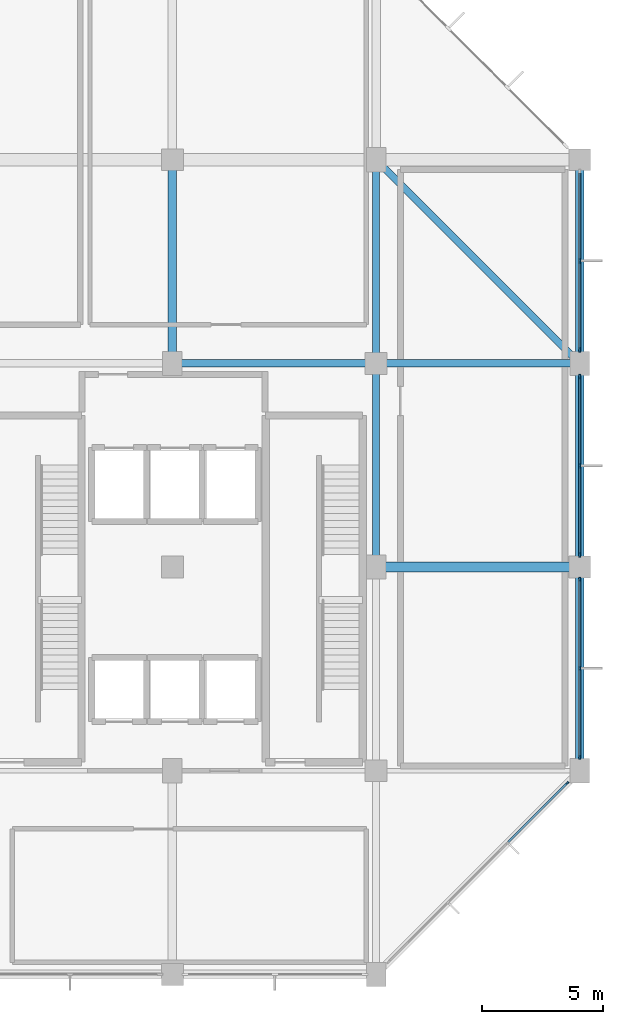
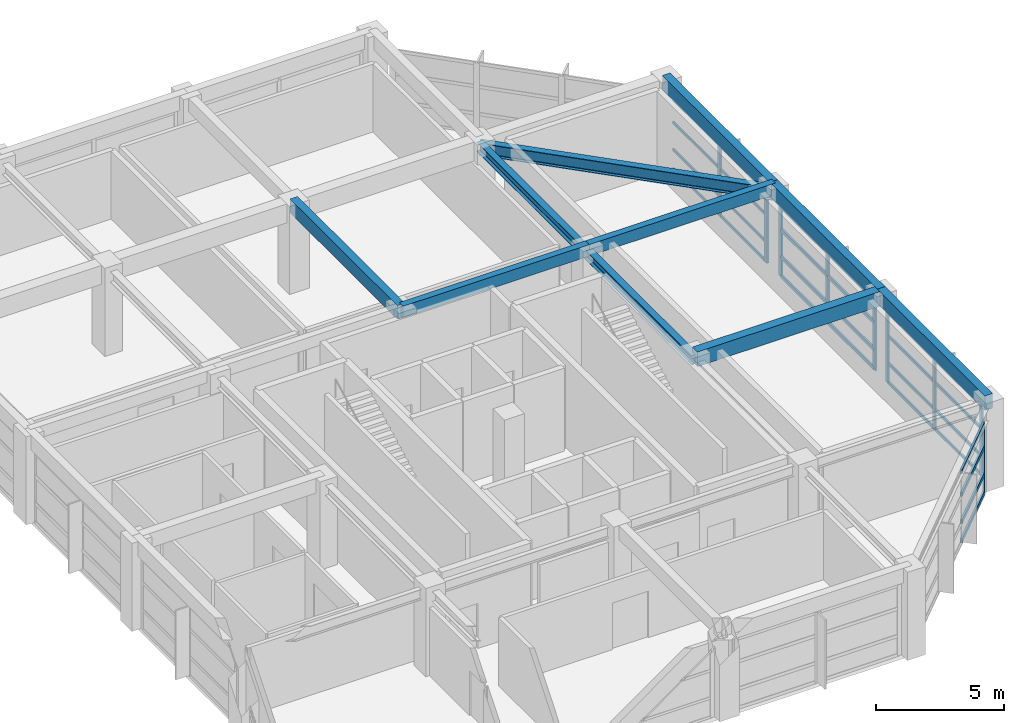
# One storey, part 5 of 12: 37 members, 10 beams, 4 elements without a shape of their own.
"""IFC4 building model written with IfcOpenShell, lengths in metres."""

from ifc_helpers import new_model, si_unit, direction, frame, origin, origin_2d, place, context, subcontext, project, spatial, rectangle, i_section, extrude, material, material_profile, profile_set, type_object, element, aggregate, save


model = new_model("IFC4")

# Units and contexts
model_context = context("Model", 3, precision=1e-05, world=origin(), true_north=direction((0.0, 1.0)))
body_context = subcontext(model_context, "Body", "Model", "MODEL_VIEW")
ifc_project = project(units=[si_unit("LENGTHUNIT", "METRE"), si_unit("AREAUNIT", "SQUARE_METRE"), si_unit("VOLUMEUNIT", "CUBIC_METRE"), si_unit("PLANEANGLEUNIT", "RADIAN"), si_unit("MASSUNIT", "GRAM", prefix="KILO")], contexts=[model_context])

# Site, building, storey
site_placement = place(None, origin())
site = spatial("IfcSite", under=ifc_project, at=site_placement, CompositionType="ELEMENT")
building_placement = place(site_placement, origin())
building = spatial("IfcBuilding", under=site, at=building_placement, Name="Xuanlan Plaza Opera House", CompositionType="ELEMENT")
storey_placement = place(building_placement, frame((0.0, 0.0, 65.699951171875)))
storey = spatial("IfcBuildingStorey", under=building, at=storey_placement, Name="L15", CompositionType="ELEMENT", Elevation=65.699951171875)

# Curtain wall, member
ifc_material_1 = material(Name="Anodised Aluminium 6063-T6 and Low-E Glass", Category="aluminium")
curtain_wall_type_1 = type_object("IfcCurtainWallType", Name="ENV-CW-CW-01", PredefinedType="USERDEFINED", material=ifc_material_1)
curtain_wall_1_placement = place(storey_placement, origin())
curtain_wall_1 = element("IfcCurtainWall", 1, at=curtain_wall_1_placement, inside=storey, type_object=curtain_wall_type_1, Name="Unitised Curtain Wall L15-004", ObjectType="UNITISED CURTAIN WALL", PredefinedType="USERDEFINED")
ifc_material_2 = material(Name="Anodised Aluminium 6063-T6", Category="aluminium")
ifc_material_profile_1 = material_profile(ifc_material_2, rectangle(XDim=0.06494140625, YDim=0.159912109375, at=origin_2d()), Name="ALU-M 65x160")
ifc_profile_set_1 = profile_set([ifc_material_profile_1], Name="Anodised Aluminium 6063-T6")
member_type_1 = type_object("IfcMemberType", Name="ENV-CWM-01", PredefinedType="MULLION", material=ifc_profile_set_1)
member_1_placement = place(storey_placement, frame((159.078125, 49.8779296875, 0.0), z_axis=(0.0, 0.0, 1.0), x_axis=(-0.707106781187, 0.707106781187, 0.0)))
member_1 = element("IfcMember", 2, at=member_1_placement, type_object=member_type_1, Name="CW-01 mullion 4", PredefinedType="MULLION", context=body_context, shape_type="SweptSolid", body=[
    extrude(rectangle(XDim=0.06494140625, YDim=0.159912109375, at=origin_2d()), origin(), (0.0, 0.0, 1.0), 3.380126953125),
])

# Curtain wall, members
curtain_wall_type_2 = type_object("IfcCurtainWallType", Name="ENV-CW-CW-02", PredefinedType="USERDEFINED", material=ifc_material_1)
curtain_wall_2_placement = place(storey_placement, origin())
curtain_wall_2 = element("IfcCurtainWall", 3, at=curtain_wall_2_placement, inside=storey, type_object=curtain_wall_type_2, Name="Unitised Curtain Wall L15-005", ObjectType="UNITISED CURTAIN WALL", PredefinedType="USERDEFINED")
ifc_material_profile_2 = material_profile(ifc_material_2, rectangle(XDim=0.070068359375, YDim=0.179931640625, at=origin_2d()), Name="ALU-M 70x180")
ifc_profile_set_2 = profile_set([ifc_material_profile_2], Name="Anodised Aluminium 6063-T6")
member_type_2 = type_object("IfcMemberType", Name="ENV-CWM-02", PredefinedType="MULLION", material=ifc_profile_set_2)
member_2_placement = place(storey_placement, frame((159.60009765625, 50.955078125, 0.0), z_axis=(0.0, 0.0, 1.0), x_axis=(-1.0, 0.0, 0.0)))
member_2 = element("IfcMember", 4, at=member_2_placement, type_object=member_type_2, Name="CW-02 mullion 1", PredefinedType="MULLION", context=body_context, shape_type="SweptSolid", body=[
    extrude(rectangle(XDim=0.070068359375, YDim=0.179931640625, at=origin_2d()), origin(), (0.0, 0.0, 1.0), 3.380126953125),
])
member_3_placement = place(storey_placement, frame((159.60009765625, 54.625, 0.0), z_axis=(0.0, 0.0, 1.0), x_axis=(-1.0, 0.0, 0.0)))
member_3 = element("IfcMember", 5, at=member_3_placement, type_object=member_type_2, Name="CW-02 mullion 2", PredefinedType="MULLION", context=body_context, shape_type="SweptSolid", body=[
    extrude(rectangle(XDim=0.070068359375, YDim=0.179931640625, at=origin_2d()), origin(), (0.0, 0.0, 1.0), 3.380126953125),
])
member_4_placement = place(storey_placement, frame((159.60009765625, 58.294921875, 0.0), z_axis=(0.0, 0.0, 1.0), x_axis=(-1.0, 0.0, 0.0)))
member_4 = element("IfcMember", 6, at=member_4_placement, type_object=member_type_2, Name="CW-02 mullion 3", PredefinedType="MULLION", context=body_context, shape_type="SweptSolid", body=[
    extrude(rectangle(XDim=0.070068359375, YDim=0.179931640625, at=origin_2d()), origin(), (0.0, 0.0, 1.0), 3.380126953125),
])

curtain_wall_type_3 = type_object("IfcCurtainWallType", Name="ENV-CW-CW-03", PredefinedType="USERDEFINED", material=ifc_material_1)
curtain_wall_3_placement = place(storey_placement, origin())
curtain_wall_3 = element("IfcCurtainWall", 7, at=curtain_wall_3_placement, inside=storey, type_object=curtain_wall_type_3, Name="Unitised Curtain Wall L15-006", ObjectType="UNITISED CURTAIN WALL", PredefinedType="USERDEFINED")
ifc_material_profile_3 = material_profile(ifc_material_2, rectangle(XDim=0.074951171875, YDim=0.199951171875, at=origin_2d()), Name="ALU-M 75x200")
ifc_profile_set_3 = profile_set([ifc_material_profile_3], Name="Anodised Aluminium 6063-T6")
member_type_3 = type_object("IfcMemberType", Name="ENV-CWM-03", PredefinedType="MULLION", material=ifc_profile_set_3)
member_5_placement = place(storey_placement, frame((159.60009765625, 59.3076171875, 0.0), z_axis=(0.0, 0.0, 1.0), x_axis=(-1.0, 0.0, 0.0)))
member_5 = element("IfcMember", 8, at=member_5_placement, type_object=member_type_3, Name="CW-03 mullion 1", PredefinedType="MULLION", context=body_context, shape_type="SweptSolid", body=[
    extrude(rectangle(XDim=0.074951171875, YDim=0.199951171875, at=origin_2d()), origin(), (0.0, 0.0, 1.0), 3.380126953125),
])
member_6_placement = place(storey_placement, frame((159.60009765625, 62.97509765625, 0.0), z_axis=(0.0, 0.0, 1.0), x_axis=(-1.0, 0.0, 0.0)))
member_6 = element("IfcMember", 9, at=member_6_placement, type_object=member_type_3, Name="CW-03 mullion 2", PredefinedType="MULLION", context=body_context, shape_type="SweptSolid", body=[
    extrude(rectangle(XDim=0.074951171875, YDim=0.199951171875, at=origin_2d()), origin(), (0.0, 0.0, 1.0), 3.380126953125),
])
member_7_placement = place(storey_placement, frame((159.60009765625, 66.642578125, 0.0), z_axis=(0.0, 0.0, 1.0), x_axis=(-1.0, 0.0, 0.0)))
member_7 = element("IfcMember", 10, at=member_7_placement, type_object=member_type_3, Name="CW-03 mullion 3", PredefinedType="MULLION", context=body_context, shape_type="SweptSolid", body=[
    extrude(rectangle(XDim=0.074951171875, YDim=0.199951171875, at=origin_2d()), origin(), (0.0, 0.0, 1.0), 3.380126953125),
])

curtain_wall_type_4 = type_object("IfcCurtainWallType", Name="ENV-CW-CW-04", PredefinedType="USERDEFINED", material=ifc_material_1)
curtain_wall_4_placement = place(storey_placement, origin())
curtain_wall_4 = element("IfcCurtainWall", 11, at=curtain_wall_4_placement, inside=storey, type_object=curtain_wall_type_4, Name="Unitised Curtain Wall L15-007", ObjectType="UNITISED CURTAIN WALL", PredefinedType="USERDEFINED")
ifc_material_profile_4 = material_profile(ifc_material_2, rectangle(XDim=0.080078125, YDim=0.219970703125, at=origin_2d()), Name="ALU-M 80x220")
ifc_profile_set_4 = profile_set([ifc_material_profile_4], Name="Anodised Aluminium 6063-T6")
member_type_4 = type_object("IfcMemberType", Name="ENV-CWM-04", PredefinedType="MULLION", material=ifc_profile_set_4)
member_8_placement = place(storey_placement, frame((159.60009765625, 67.760009765625, 0.0), z_axis=(0.0, 0.0, 1.0), x_axis=(-1.0, 0.0, 0.0)))
member_8 = element("IfcMember", 12, at=member_8_placement, type_object=member_type_4, Name="CW-04 mullion 1", PredefinedType="MULLION", context=body_context, shape_type="SweptSolid", body=[
    extrude(rectangle(XDim=0.080078125, YDim=0.219970703125, at=origin_2d()), origin(), (0.0, 0.0, 1.0), 3.380126953125),
])
member_9_placement = place(storey_placement, frame((159.60009765625, 71.425048828125, 0.0), z_axis=(0.0, 0.0, 1.0), x_axis=(-1.0, 0.0, 0.0)))
member_9 = element("IfcMember", 13, at=member_9_placement, type_object=member_type_4, Name="CW-04 mullion 2", PredefinedType="MULLION", context=body_context, shape_type="SweptSolid", body=[
    extrude(rectangle(XDim=0.080078125, YDim=0.219970703125, at=origin_2d()), origin(), (0.0, 0.0, 1.0), 3.380126953125),
])
ifc_material_profile_5 = material_profile(ifc_material_2, rectangle(XDim=0.06494140625, YDim=0.1201171875, at=origin_2d()), Name="ALU-T 65x120")
ifc_profile_set_5 = profile_set([ifc_material_profile_5], Name="Anodised Aluminium 6063-T6")
member_type_5 = type_object("IfcMemberType", Name="ENV-CWT-01", PredefinedType="USERDEFINED", material=ifc_profile_set_5)
member_10_placement = place(storey_placement, frame((159.60009765625, 67.800048828125, 0.032470703125), z_axis=(0.0, 1.0, 0.0), x_axis=(-1.0, 0.0, 0.0)))
member_10 = element("IfcMember", 14, at=member_10_placement, type_object=member_type_5, Name="CW-04 transom 1.1", ObjectType="TRANSOM", PredefinedType="USERDEFINED", context=body_context, shape_type="SweptSolid", body=[
    extrude(rectangle(XDim=0.06494140625, YDim=0.1201171875, at=origin_2d()), origin(), (0.0, 0.0, 1.0), 3.5849609375),
])
member_11_placement = place(storey_placement, frame((159.60009765625, 67.800048828125, 0.949951171875), z_axis=(0.0, 1.0, 0.0), x_axis=(-1.0, 0.0, 0.0)))
member_11 = element("IfcMember", 15, at=member_11_placement, type_object=member_type_5, Name="CW-04 transom 1.2", ObjectType="TRANSOM", PredefinedType="USERDEFINED", context=body_context, shape_type="SweptSolid", body=[
    extrude(rectangle(XDim=0.06494140625, YDim=0.1201171875, at=origin_2d()), origin(), (0.0, 0.0, 1.0), 3.5849609375),
])
member_12_placement = place(storey_placement, frame((159.60009765625, 67.800048828125, 2.25), z_axis=(0.0, 1.0, 0.0), x_axis=(-1.0, 0.0, 0.0)))
member_12 = element("IfcMember", 16, at=member_12_placement, type_object=member_type_5, Name="CW-04 transom 1.3", ObjectType="TRANSOM", PredefinedType="USERDEFINED", context=body_context, shape_type="SweptSolid", body=[
    extrude(rectangle(XDim=0.06494140625, YDim=0.1201171875, at=origin_2d()), origin(), (0.0, 0.0, 1.0), 3.5849609375),
])
member_13_placement = place(storey_placement, frame((159.60009765625, 67.800048828125, 3.34765625), z_axis=(0.0, 1.0, 0.0), x_axis=(-1.0, 0.0, 0.0)))
member_13 = element("IfcMember", 17, at=member_13_placement, type_object=member_type_5, Name="CW-04 transom 1.4", ObjectType="TRANSOM", PredefinedType="USERDEFINED", context=body_context, shape_type="SweptSolid", body=[
    extrude(rectangle(XDim=0.06494140625, YDim=0.1201171875, at=origin_2d()), origin(), (0.0, 0.0, 1.0), 3.5849609375),
])
member_14_placement = place(storey_placement, frame((159.60009765625, 71.465087890625, 0.032470703125), z_axis=(0.0, 1.0, 0.0), x_axis=(-1.0, 0.0, 0.0)))
member_14 = element("IfcMember", 18, at=member_14_placement, type_object=member_type_5, Name="CW-04 transom 2.1", ObjectType="TRANSOM", PredefinedType="USERDEFINED", context=body_context, shape_type="SweptSolid", body=[
    extrude(rectangle(XDim=0.06494140625, YDim=0.1201171875, at=origin_2d()), origin(), (0.0, 0.0, 1.0), 3.5849609375),
])
member_15_placement = place(storey_placement, frame((159.60009765625, 71.465087890625, 0.949951171875), z_axis=(0.0, 1.0, 0.0), x_axis=(-1.0, 0.0, 0.0)))
member_15 = element("IfcMember", 19, at=member_15_placement, type_object=member_type_5, Name="CW-04 transom 2.2", ObjectType="TRANSOM", PredefinedType="USERDEFINED", context=body_context, shape_type="SweptSolid", body=[
    extrude(rectangle(XDim=0.06494140625, YDim=0.1201171875, at=origin_2d()), origin(), (0.0, 0.0, 1.0), 3.5849609375),
])
member_16_placement = place(storey_placement, frame((159.60009765625, 71.465087890625, 2.25), z_axis=(0.0, 1.0, 0.0), x_axis=(-1.0, 0.0, 0.0)))
member_16 = element("IfcMember", 20, at=member_16_placement, type_object=member_type_5, Name="CW-04 transom 2.3", ObjectType="TRANSOM", PredefinedType="USERDEFINED", context=body_context, shape_type="SweptSolid", body=[
    extrude(rectangle(XDim=0.06494140625, YDim=0.1201171875, at=origin_2d()), origin(), (0.0, 0.0, 1.0), 3.5849609375),
])
member_17_placement = place(storey_placement, frame((159.60009765625, 71.465087890625, 3.34765625), z_axis=(0.0, 1.0, 0.0), x_axis=(-1.0, 0.0, 0.0)))
member_17 = element("IfcMember", 21, at=member_17_placement, type_object=member_type_5, Name="CW-04 transom 2.4", ObjectType="TRANSOM", PredefinedType="USERDEFINED", context=body_context, shape_type="SweptSolid", body=[
    extrude(rectangle(XDim=0.06494140625, YDim=0.1201171875, at=origin_2d()), origin(), (0.0, 0.0, 1.0), 3.5849609375),
])
aggregate(curtain_wall_4, [member_8, member_9, member_10, member_11, member_12, member_13, member_14, member_15, member_16, member_17])

# Member
ifc_material_profile_6 = material_profile(ifc_material_2, rectangle(XDim=0.070068359375, YDim=0.135009765625, at=origin_2d()), Name="ALU-T 70x135")
ifc_profile_set_6 = profile_set([ifc_material_profile_6], Name="Anodised Aluminium 6063-T6")
member_type_6 = type_object("IfcMemberType", Name="ENV-CWT-02", PredefinedType="USERDEFINED", material=ifc_profile_set_6)
member_18_placement = place(storey_placement, frame((159.60009765625, 50.989990234375, 0.03515625), z_axis=(0.0, 1.0, 0.0), x_axis=(-1.0, 0.0, 0.0)))
member_18 = element("IfcMember", 22, at=member_18_placement, type_object=member_type_6, Name="CW-02 transom 1.1", ObjectType="TRANSOM", PredefinedType="USERDEFINED", context=body_context, shape_type="SweptSolid", body=[
    extrude(rectangle(XDim=0.070068359375, YDim=0.135009765625, at=origin_2d()), origin(), (0.0, 0.0, 1.0), 3.60009765625),
])

member_19_placement = place(storey_placement, frame((159.60009765625, 50.989990234375, 0.949951171875), z_axis=(0.0, 1.0, 0.0), x_axis=(-1.0, 0.0, 0.0)))
member_19 = element("IfcMember", 23, at=member_19_placement, type_object=member_type_6, Name="CW-02 transom 1.2", ObjectType="TRANSOM", PredefinedType="USERDEFINED", context=body_context, shape_type="SweptSolid", body=[
    extrude(rectangle(XDim=0.070068359375, YDim=0.135009765625, at=origin_2d()), origin(), (0.0, 0.0, 1.0), 3.60009765625),
])

member_20_placement = place(storey_placement, frame((159.60009765625, 50.989990234375, 2.25), z_axis=(0.0, 1.0, 0.0), x_axis=(-1.0, 0.0, 0.0)))
member_20 = element("IfcMember", 24, at=member_20_placement, type_object=member_type_6, Name="CW-02 transom 1.3", ObjectType="TRANSOM", PredefinedType="USERDEFINED", context=body_context, shape_type="SweptSolid", body=[
    extrude(rectangle(XDim=0.070068359375, YDim=0.135009765625, at=origin_2d()), origin(), (0.0, 0.0, 1.0), 3.60009765625),
])

member_21_placement = place(storey_placement, frame((159.60009765625, 50.989990234375, 3.344970703125), z_axis=(0.0, 1.0, 0.0), x_axis=(-1.0, 0.0, 0.0)))
member_21 = element("IfcMember", 25, at=member_21_placement, type_object=member_type_6, Name="CW-02 transom 1.4", ObjectType="TRANSOM", PredefinedType="USERDEFINED", context=body_context, shape_type="SweptSolid", body=[
    extrude(rectangle(XDim=0.070068359375, YDim=0.135009765625, at=origin_2d()), origin(), (0.0, 0.0, 1.0), 3.60009765625),
])

member_22_placement = place(storey_placement, frame((159.60009765625, 54.659912109375, 0.03515625), z_axis=(0.0, 1.0, 0.0), x_axis=(-1.0, 0.0, 0.0)))
member_22 = element("IfcMember", 26, at=member_22_placement, type_object=member_type_6, Name="CW-02 transom 2.1", ObjectType="TRANSOM", PredefinedType="USERDEFINED", context=body_context, shape_type="SweptSolid", body=[
    extrude(rectangle(XDim=0.070068359375, YDim=0.135009765625, at=origin_2d()), origin(), (0.0, 0.0, 1.0), 3.60009765625),
])

member_23_placement = place(storey_placement, frame((159.60009765625, 54.659912109375, 0.949951171875), z_axis=(0.0, 1.0, 0.0), x_axis=(-1.0, 0.0, 0.0)))
member_23 = element("IfcMember", 27, at=member_23_placement, type_object=member_type_6, Name="CW-02 transom 2.2", ObjectType="TRANSOM", PredefinedType="USERDEFINED", context=body_context, shape_type="SweptSolid", body=[
    extrude(rectangle(XDim=0.070068359375, YDim=0.135009765625, at=origin_2d()), origin(), (0.0, 0.0, 1.0), 3.60009765625),
])

member_24_placement = place(storey_placement, frame((159.60009765625, 54.659912109375, 2.25), z_axis=(0.0, 1.0, 0.0), x_axis=(-1.0, 0.0, 0.0)))
member_24 = element("IfcMember", 28, at=member_24_placement, type_object=member_type_6, Name="CW-02 transom 2.3", ObjectType="TRANSOM", PredefinedType="USERDEFINED", context=body_context, shape_type="SweptSolid", body=[
    extrude(rectangle(XDim=0.070068359375, YDim=0.135009765625, at=origin_2d()), origin(), (0.0, 0.0, 1.0), 3.60009765625),
])

member_25_placement = place(storey_placement, frame((159.60009765625, 54.659912109375, 3.344970703125), z_axis=(0.0, 1.0, 0.0), x_axis=(-1.0, 0.0, 0.0)))
member_25 = element("IfcMember", 29, at=member_25_placement, type_object=member_type_6, Name="CW-02 transom 2.4", ObjectType="TRANSOM", PredefinedType="USERDEFINED", context=body_context, shape_type="SweptSolid", body=[
    extrude(rectangle(XDim=0.070068359375, YDim=0.135009765625, at=origin_2d()), origin(), (0.0, 0.0, 1.0), 3.60009765625),
])

aggregate(curtain_wall_2, [member_2, member_3, member_4, member_18, member_19, member_20, member_21, member_22, member_23, member_24, member_25])

ifc_material_profile_7 = material_profile(ifc_material_2, rectangle(XDim=0.080078125, YDim=0.1650390625, at=origin_2d()), Name="ALU-T 80x165")
ifc_profile_set_7 = profile_set([ifc_material_profile_7], Name="Anodised Aluminium 6063-T6")
member_type_7 = type_object("IfcMemberType", Name="ENV-CWT-04", PredefinedType="USERDEFINED", material=ifc_profile_set_7)
member_26_placement = place(storey_placement, frame((159.60009765625, 59.344970703125, 0.0400390625), z_axis=(0.0, 1.0, 0.0), x_axis=(-1.0, 0.0, 0.0)))
member_26 = element("IfcMember", 30, at=member_26_placement, type_object=member_type_7, Name="CW-03 transom 1.1", ObjectType="TRANSOM", PredefinedType="USERDEFINED", context=body_context, shape_type="SweptSolid", body=[
    extrude(rectangle(XDim=0.080078125, YDim=0.1650390625, at=origin_2d()), origin(), (0.0, 0.0, 1.0), 3.592529296875),
])

member_27_placement = place(storey_placement, frame((159.60009765625, 59.344970703125, 0.949951171875), z_axis=(0.0, 1.0, 0.0), x_axis=(-1.0, 0.0, 0.0)))
member_27 = element("IfcMember", 31, at=member_27_placement, type_object=member_type_7, Name="CW-03 transom 1.2", ObjectType="TRANSOM", PredefinedType="USERDEFINED", context=body_context, shape_type="SweptSolid", body=[
    extrude(rectangle(XDim=0.080078125, YDim=0.1650390625, at=origin_2d()), origin(), (0.0, 0.0, 1.0), 3.592529296875),
])

member_28_placement = place(storey_placement, frame((159.60009765625, 59.344970703125, 2.25), z_axis=(0.0, 1.0, 0.0), x_axis=(-1.0, 0.0, 0.0)))
member_28 = element("IfcMember", 32, at=member_28_placement, type_object=member_type_7, Name="CW-03 transom 1.3", ObjectType="TRANSOM", PredefinedType="USERDEFINED", context=body_context, shape_type="SweptSolid", body=[
    extrude(rectangle(XDim=0.080078125, YDim=0.1650390625, at=origin_2d()), origin(), (0.0, 0.0, 1.0), 3.592529296875),
])

member_29_placement = place(storey_placement, frame((159.60009765625, 59.344970703125, 3.340087890625), z_axis=(0.0, 1.0, 0.0), x_axis=(-1.0, 0.0, 0.0)))
member_29 = element("IfcMember", 33, at=member_29_placement, type_object=member_type_7, Name="CW-03 transom 1.4", ObjectType="TRANSOM", PredefinedType="USERDEFINED", context=body_context, shape_type="SweptSolid", body=[
    extrude(rectangle(XDim=0.080078125, YDim=0.1650390625, at=origin_2d()), origin(), (0.0, 0.0, 1.0), 3.592529296875),
])

member_30_placement = place(storey_placement, frame((159.60009765625, 63.012451171875, 0.0400390625), z_axis=(0.0, 1.0, 0.0), x_axis=(-1.0, 0.0, 0.0)))
member_30 = element("IfcMember", 34, at=member_30_placement, type_object=member_type_7, Name="CW-03 transom 2.1", ObjectType="TRANSOM", PredefinedType="USERDEFINED", context=body_context, shape_type="SweptSolid", body=[
    extrude(rectangle(XDim=0.080078125, YDim=0.1650390625, at=origin_2d()), origin(), (0.0, 0.0, 1.0), 3.592529296875),
])

member_31_placement = place(storey_placement, frame((159.60009765625, 63.012451171875, 0.949951171875), z_axis=(0.0, 1.0, 0.0), x_axis=(-1.0, 0.0, 0.0)))
member_31 = element("IfcMember", 35, at=member_31_placement, type_object=member_type_7, Name="CW-03 transom 2.2", ObjectType="TRANSOM", PredefinedType="USERDEFINED", context=body_context, shape_type="SweptSolid", body=[
    extrude(rectangle(XDim=0.080078125, YDim=0.1650390625, at=origin_2d()), origin(), (0.0, 0.0, 1.0), 3.592529296875),
])

member_32_placement = place(storey_placement, frame((159.60009765625, 63.012451171875, 2.25), z_axis=(0.0, 1.0, 0.0), x_axis=(-1.0, 0.0, 0.0)))
member_32 = element("IfcMember", 36, at=member_32_placement, type_object=member_type_7, Name="CW-03 transom 2.3", ObjectType="TRANSOM", PredefinedType="USERDEFINED", context=body_context, shape_type="SweptSolid", body=[
    extrude(rectangle(XDim=0.080078125, YDim=0.1650390625, at=origin_2d()), origin(), (0.0, 0.0, 1.0), 3.592529296875),
])

member_33_placement = place(storey_placement, frame((159.60009765625, 63.012451171875, 3.340087890625), z_axis=(0.0, 1.0, 0.0), x_axis=(-1.0, 0.0, 0.0)))
member_33 = element("IfcMember", 37, at=member_33_placement, type_object=member_type_7, Name="CW-03 transom 2.4", ObjectType="TRANSOM", PredefinedType="USERDEFINED", context=body_context, shape_type="SweptSolid", body=[
    extrude(rectangle(XDim=0.080078125, YDim=0.1650390625, at=origin_2d()), origin(), (0.0, 0.0, 1.0), 3.592529296875),
])

aggregate(curtain_wall_3, [member_5, member_6, member_7, member_26, member_27, member_28, member_29, member_30, member_31, member_32, member_33])

ifc_material_profile_8 = material_profile(ifc_material_2, rectangle(XDim=0.090087890625, YDim=0.179931640625, at=origin_2d()), Name="ALU-T 90x180")
ifc_profile_set_8 = profile_set([ifc_material_profile_8], Name="Anodised Aluminium 6063-T6")
member_type_8 = type_object("IfcMemberType", Name="ENV-CWT-05", PredefinedType="USERDEFINED", material=ifc_profile_set_8)
member_34_placement = place(storey_placement, frame((156.65673828125, 47.45654296875, 0.045166015625), z_axis=(0.707070789698, 0.707142770843, 0.0), x_axis=(-0.707142770843, 0.707070789698, 0.0)))
member_34 = element("IfcMember", 38, at=member_34_placement, type_object=member_type_8, Name="CW-01 transom 3.1", ObjectType="TRANSOM", PredefinedType="USERDEFINED", context=body_context, shape_type="SweptSolid", body=[
    extrude(rectangle(XDim=0.090087890625, YDim=0.179931640625, at=origin_2d()), origin(), (0.0, 0.0, 1.0), 3.391845703125),
])

member_35_placement = place(storey_placement, frame((156.65673828125, 47.45654296875, 0.949951171875), z_axis=(0.707070789698, 0.707142770843, 0.0), x_axis=(-0.707142770843, 0.707070789698, 0.0)))
member_35 = element("IfcMember", 39, at=member_35_placement, type_object=member_type_8, Name="CW-01 transom 3.2", ObjectType="TRANSOM", PredefinedType="USERDEFINED", context=body_context, shape_type="SweptSolid", body=[
    extrude(rectangle(XDim=0.090087890625, YDim=0.179931640625, at=origin_2d()), origin(), (0.0, 0.0, 1.0), 3.391845703125),
])

member_36_placement = place(storey_placement, frame((156.65673828125, 47.45654296875, 2.25), z_axis=(0.707070789698, 0.707142770843, 0.0), x_axis=(-0.707142770843, 0.707070789698, 0.0)))
member_36 = element("IfcMember", 40, at=member_36_placement, type_object=member_type_8, Name="CW-01 transom 3.3", ObjectType="TRANSOM", PredefinedType="USERDEFINED", context=body_context, shape_type="SweptSolid", body=[
    extrude(rectangle(XDim=0.090087890625, YDim=0.179931640625, at=origin_2d()), origin(), (0.0, 0.0, 1.0), 3.391845703125),
])

member_37_placement = place(storey_placement, frame((156.65673828125, 47.45654296875, 3.3349609375), z_axis=(0.707070789698, 0.707142770843, 0.0), x_axis=(-0.707142770843, 0.707070789698, 0.0)))
member_37 = element("IfcMember", 41, at=member_37_placement, type_object=member_type_8, Name="CW-01 transom 3.4", ObjectType="TRANSOM", PredefinedType="USERDEFINED", context=body_context, shape_type="SweptSolid", body=[
    extrude(rectangle(XDim=0.090087890625, YDim=0.179931640625, at=origin_2d()), origin(), (0.0, 0.0, 1.0), 3.391845703125),
])

aggregate(curtain_wall_1, [member_1, member_34, member_35, member_36, member_37])

# Beams
ifc_material_3 = material(Name="Concrete C40", Category="concrete")
ifc_material_profile_9 = material_profile(ifc_material_3, rectangle(XDim=0.39990234375, YDim=0.699951171875, at=origin_2d()), Name="RC-BM 400x700")
ifc_profile_set_9 = profile_set([ifc_material_profile_9], Name="Concrete C40")
beam_type_1 = type_object("IfcBeamType", Name="STR-BM-B-07", PredefinedType="BEAM", material=ifc_profile_set_9)
beam_1_placement = place(storey_placement, frame((151.199951171875, 58.800048828125, 3.85009765625), z_axis=(1.0, 0.0, 0.0), x_axis=(0.0, 1.0, 0.0)))
element("IfcBeam", 42, at=beam_1_placement, inside=storey, type_object=beam_type_1, Name="Grid Beam X L15 19-20/H", PredefinedType="BEAM", context=body_context, shape_type="SweptSolid", body=[
    extrude(rectangle(XDim=0.39990234375, YDim=0.699951171875, at=origin_2d()), origin(), (0.0, 0.0, 1.0), 8.400146484375),
])
ifc_material_profile_10 = material_profile(ifc_material_3, rectangle(XDim=0.35009765625, YDim=0.64990234375, at=origin_2d()), Name="RC-BM 350x650")
ifc_profile_set_10 = profile_set([ifc_material_profile_10], Name="Concrete C40")
beam_type_2 = type_object("IfcBeamType", Name="STR-BM-B-08", PredefinedType="BEAM", material=ifc_profile_set_10)
beam_2_placement = place(storey_placement, frame((142.800048828125, 67.199951171875, 3.875), z_axis=(0.0, 1.0, 0.0), x_axis=(-1.0, 0.0, 0.0)))
element("IfcBeam", 43, at=beam_2_placement, inside=storey, type_object=beam_type_2, Name="Grid Beam Y L15 18/I-J", PredefinedType="BEAM", context=body_context, shape_type="SweptSolid", body=[
    extrude(rectangle(XDim=0.35009765625, YDim=0.64990234375, at=origin_2d()), origin(), (0.0, 0.0, 1.0), 8.400146484375),
])
ifc_material_profile_11 = material_profile(ifc_material_3, rectangle(XDim=0.300048828125, YDim=0.550048828125, at=origin_2d()), Name="RC-BM 300x550")
ifc_profile_set_11 = profile_set([ifc_material_profile_11], Name="Concrete C40")
beam_type_3 = type_object("IfcBeamType", Name="STR-BM-B-09", PredefinedType="BEAM", material=ifc_profile_set_11)
beam_3_placement = place(storey_placement, frame((142.800048828125, 67.199951171875, 3.925048828125), z_axis=(1.0, 0.0, 0.0), x_axis=(0.0, 1.0, 0.0)))
element("IfcBeam", 44, at=beam_3_placement, inside=storey, type_object=beam_type_3, Name="Grid Beam X L15 18-19/I", PredefinedType="BEAM", context=body_context, shape_type="SweptSolid", body=[
    extrude(rectangle(XDim=0.300048828125, YDim=0.550048828125, at=origin_2d()), origin(), (0.0, 0.0, 1.0), 8.39990234375),
])
beam_4_placement = place(storey_placement, frame((151.199951171875, 67.199951171875, 3.925048828125), z_axis=(1.0, 0.0, 0.0), x_axis=(0.0, 1.0, 0.0)))
element("IfcBeam", 45, at=beam_4_placement, inside=storey, type_object=beam_type_3, Name="Grid Beam X L15 19-20/I", PredefinedType="BEAM", context=body_context, shape_type="SweptSolid", body=[
    extrude(rectangle(XDim=0.300048828125, YDim=0.550048828125, at=origin_2d()), origin(), (0.0, 0.0, 1.0), 8.400146484375),
])
ifc_material_4 = material(Name="Steel Q355B", Category="steel")
ifc_material_profile_12 = material_profile(ifc_material_4, i_section(OverallWidth=0.300048828125, OverallDepth=0.43994140625, WebThickness=0.010986328125, FlangeThickness=0.01806640625, FilletRadius=0.02001953125, at=origin_2d()), Name="HM 440x300x11x18")
ifc_profile_set_12 = profile_set([ifc_material_profile_12], Name="Steel Q355B")
beam_type_4 = type_object("IfcBeamType", Name="STR-BM-SB-08", PredefinedType="BEAM", material=ifc_profile_set_12)
beam_5_placement = place(storey_placement, frame((151.199951171875, 58.800048828125, 3.735107421875), z_axis=(0.0, 1.0, 0.0), x_axis=(-1.0, 0.0, 0.0)))
element("IfcBeam", 46, at=beam_5_placement, inside=storey, type_object=beam_type_4, Name="Grid Beam Y L15 19/H-I", PredefinedType="BEAM", context=body_context, shape_type="SweptSolid", body=[
    extrude(i_section(OverallWidth=0.300048828125, OverallDepth=0.43994140625, WebThickness=0.010986328125, FlangeThickness=0.01806640625, FilletRadius=0.02001953125, at=origin_2d()), origin(), (0.0, 0.0, 1.0), 8.39990234375),
])
beam_6_placement = place(storey_placement, frame((151.199951171875, 67.199951171875, 3.735107421875), z_axis=(0.0, 1.0, 0.0), x_axis=(-1.0, 0.0, 0.0)))
element("IfcBeam", 47, at=beam_6_placement, inside=storey, type_object=beam_type_4, Name="Grid Beam Y L15 19/I-J", PredefinedType="BEAM", context=body_context, shape_type="SweptSolid", body=[
    extrude(i_section(OverallWidth=0.300048828125, OverallDepth=0.43994140625, WebThickness=0.010986328125, FlangeThickness=0.01806640625, FilletRadius=0.02001953125, at=origin_2d()), origin(), (0.0, 0.0, 1.0), 8.400146484375),
])
ifc_material_profile_13 = material_profile(ifc_material_3, rectangle(XDim=0.35009765625, YDim=0.699951171875, at=origin_2d()), Name="RC-SPD 350x700")
ifc_profile_set_13 = profile_set([ifc_material_profile_13], Name="Concrete C40")
beam_type_5 = type_object("IfcBeamType", Name="STR-BM-SP-02", PredefinedType="SPANDREL", material=ifc_profile_set_13)
beam_7_placement = place(storey_placement, frame((159.60009765625, 50.39990234375, 3.85009765625), z_axis=(0.0, 1.0, 0.0), x_axis=(-1.0, 0.0, 0.0)))
element("IfcBeam", 48, at=beam_7_placement, inside=storey, type_object=beam_type_5, Name="Grid Beam Y L15 20/G-H", PredefinedType="SPANDREL", context=body_context, shape_type="SweptSolid", body=[
    extrude(rectangle(XDim=0.35009765625, YDim=0.699951171875, at=origin_2d()), origin(), (0.0, 0.0, 1.0), 8.400146484375),
])
beam_8_placement = place(storey_placement, frame((159.60009765625, 58.800048828125, 3.85009765625), z_axis=(0.0, 1.0, 0.0), x_axis=(-1.0, 0.0, 0.0)))
element("IfcBeam", 49, at=beam_8_placement, inside=storey, type_object=beam_type_5, Name="Grid Beam Y L15 20/H-I", PredefinedType="SPANDREL", context=body_context, shape_type="SweptSolid", body=[
    extrude(rectangle(XDim=0.35009765625, YDim=0.699951171875, at=origin_2d()), origin(), (0.0, 0.0, 1.0), 8.39990234375),
])
beam_9_placement = place(storey_placement, frame((159.60009765625, 67.199951171875, 3.85009765625), z_axis=(0.0, 1.0, 0.0), x_axis=(-1.0, 0.0, 0.0)))
element("IfcBeam", 50, at=beam_9_placement, inside=storey, type_object=beam_type_5, Name="Grid Beam Y L15 20/I-J", PredefinedType="SPANDREL", context=body_context, shape_type="SweptSolid", body=[
    extrude(rectangle(XDim=0.35009765625, YDim=0.699951171875, at=origin_2d()), origin(), (0.0, 0.0, 1.0), 8.400146484375),
])
ifc_material_profile_14 = material_profile(ifc_material_4, i_section(OverallWidth=0.300048828125, OverallDepth=0.587890625, WebThickness=0.011962890625, FlangeThickness=0.02001953125, FilletRadius=0.02392578125, at=origin_2d()), Name="HM 588x300x12x20")
ifc_profile_set_14 = profile_set([ifc_material_profile_14], Name="Steel Q355B")
beam_type_6 = type_object("IfcBeamType", Name="STR-BM-SP-03", PredefinedType="SPANDREL", material=ifc_profile_set_14)
beam_10_placement = place(storey_placement, frame((151.199951171875, 75.60009765625, 3.6611328125), z_axis=(0.707106781187, -0.707106781187, 0.0), x_axis=(0.707106781187, 0.707106781187, 0.0)))
element("IfcBeam", 51, at=beam_10_placement, inside=storey, type_object=beam_type_6, Name="Faceted Edge Spandrel L15 CH06", PredefinedType="SPANDREL", context=body_context, shape_type="SweptSolid", body=[
    extrude(i_section(OverallWidth=0.300048828125, OverallDepth=0.587890625, WebThickness=0.011962890625, FlangeThickness=0.02001953125, FilletRadius=0.02392578125, at=origin_2d()), origin(), (0.0, 0.0, 1.0), 11.879638671875),
])

save(model, "model.ifc")
